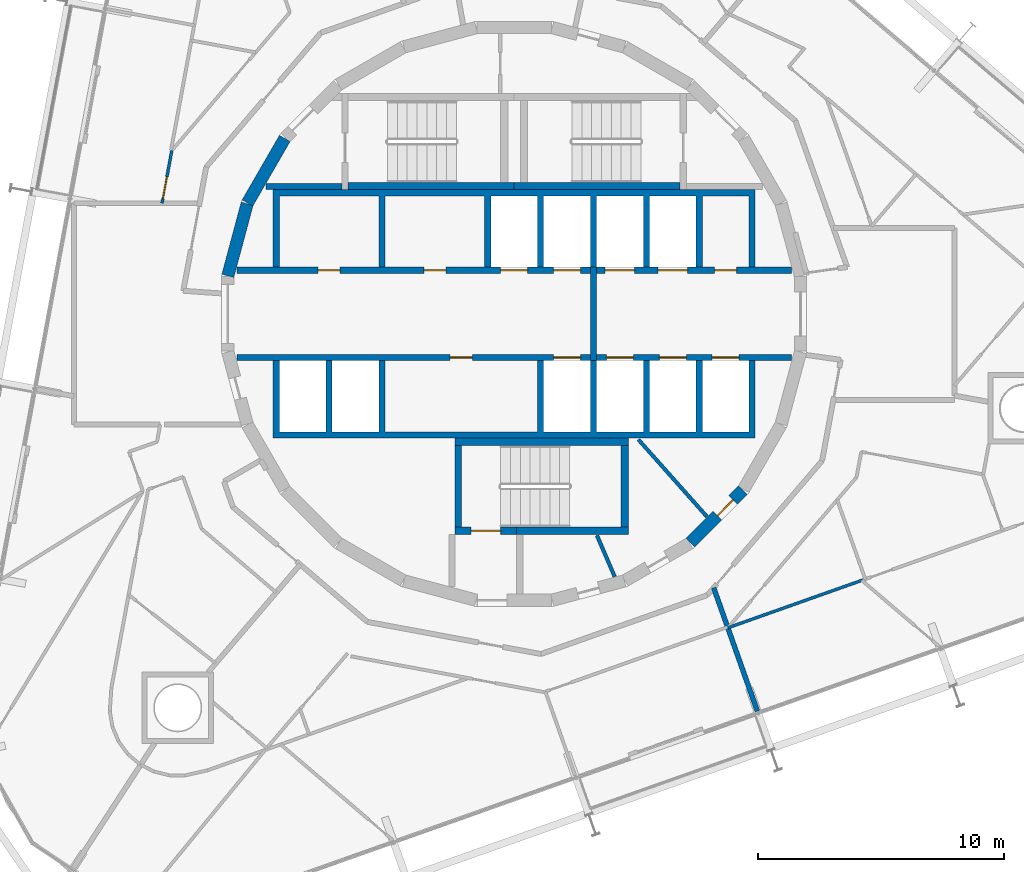
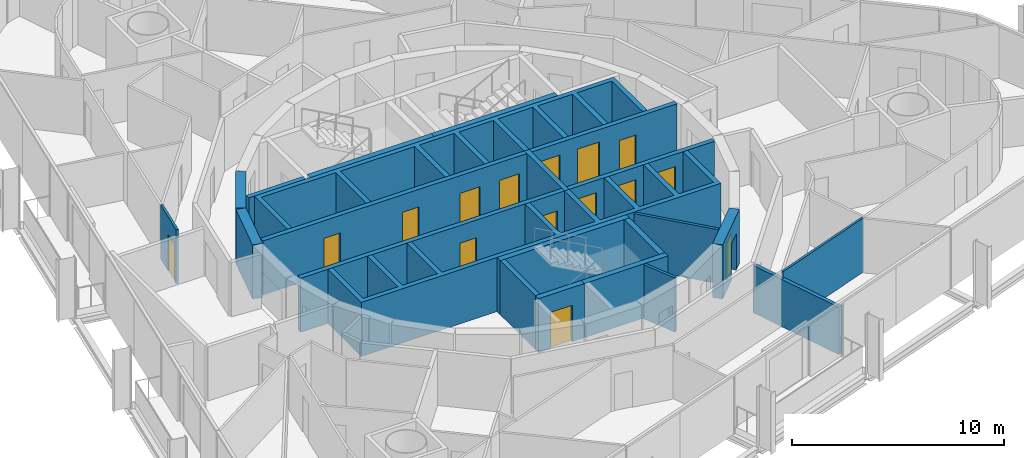
# One storey, part 12 of 17: 23 walls, 15 doors, 15 openings.
"""IFC4 building model written with IfcOpenShell, lengths in metres."""

from ifc_helpers import new_model, si_unit, direction, frame, frame_2d, origin, place, context, subcontext, project, spatial, polyline, rectangle, outline, extrude, material, layer, layer_set, type_object, element, fill, save


model = new_model("IFC4")

# Units and contexts
model_context = context("Model", 3, precision=1e-05, world=origin(), true_north=direction((0.0, 1.0)))
body_context = subcontext(model_context, "Body", "Model", "MODEL_VIEW")
ifc_project = project(units=[si_unit("LENGTHUNIT", "METRE"), si_unit("AREAUNIT", "SQUARE_METRE"), si_unit("VOLUMEUNIT", "CUBIC_METRE"), si_unit("PLANEANGLEUNIT", "RADIAN"), si_unit("MASSUNIT", "GRAM", prefix="KILO")], contexts=[model_context])

# Site, building, storey
site_placement = place(None, origin())
site = spatial("IfcSite", under=ifc_project, at=site_placement, CompositionType="ELEMENT")
building_placement = place(site_placement, origin())
building = spatial("IfcBuilding", under=site, at=building_placement, Name="Spindle Arch Residences", CompositionType="ELEMENT")
storey_placement = place(building_placement, frame((0.0, 0.0, 162.199951171875)))
storey = spatial("IfcBuildingStorey", under=building, at=storey_placement, Name="L40", CompositionType="ELEMENT", Elevation=162.199951171875)

# Wall, opening, door
ifc_material_1 = material(Name="Concrete C50/60", Category="concrete")
ifc_layer_1 = layer(ifc_material_1, 0.5)
ifc_layer_set_1 = layer_set([ifc_layer_1], Name="Core outline wall 500")
wall_type_1 = type_object("IfcWallType", Name="Core outline wall 500", PredefinedType="SHEAR", material=ifc_layer_set_1)
wall_1_placement = place(storey_placement, frame((7.163818359375, -9.30810546875, 0.0), z_axis=(0.0, 0.0, 1.0), x_axis=(0.707106781187, 0.707106781187, 0.0)))
wall_1 = element("IfcWall", 1, at=wall_1_placement, inside=storey, type_object=wall_type_1, Name="Core outline wall 3", PredefinedType="SHEAR", context=body_context, shape_type="SweptSolid", body=[
    extrude(rectangle(XDim=3.032470703125, YDim=0.5, at=frame_2d((1.51611328125, 0.0))), origin(), (0.0, 0.0, 1.0), 3.1201171875),
])
opening_1_placement = place(wall_1_placement, frame((1.56640625, 0.0, 0.0)))
opening_1 = element("IfcOpeningElement", 2, at=opening_1_placement, cuts=wall_1, Name="Opening R4B1-WD06", PredefinedType="OPENING", context=body_context, shape_type="SweptSolid", body=[
    extrude(rectangle(XDim=0.89990234375, YDim=2.10009765625, at=frame_2d((0.449951171875, 1.050048828125))), frame((0.0, 0.260009765625, 0.0), z_axis=(0.0, -1.0, 0.0), x_axis=(1.0, 0.0, 0.0)), (0.0, 0.0, 1.0), 0.52001953125),
])
ifc_material_2 = material(Name="Steel, fire-resisting door", Category="steel")
door_type_1 = type_object("IfcDoorType", Name="Service room door 900x2100", OperationType="SINGLE_SWING_LEFT", PredefinedType="DOOR", material=ifc_material_2)
door_1_placement = place(opening_1_placement, origin())
door_1 = element("IfcDoor", 3, at=door_1_placement, inside=storey, type_object=door_type_1, Name="Service room door R4B1-WD06", OperationType="SINGLE_SWING_RIGHT", OverallHeight=2.10009765625, OverallWidth=0.89990234375, PredefinedType="DOOR", context=body_context, shape_type="SweptSolid", body=[
    extrude(rectangle(XDim=0.89990234375, YDim=2.10009765625, at=frame_2d((0.449951171875, 1.050048828125))), frame((0.0, 0.02490234375, 0.0), z_axis=(0.0, -1.0, 0.0), x_axis=(1.0, 0.0, 0.0)), (0.0, 0.0, 1.0), 0.050048828125),
])
fill(opening_1, door_1)

# Walls
for number, where, z_axis, x_axis, name in (
    (4, (-9.32861328125, 7.13671875, 0.0), (0.0, 0.0, 1.0), (-0.500087131594, -0.865975092491, 0.0), "Core outline wall 16"),
    (5, (-10.858154296875, 4.479248046875, 0.0), (0.0, 0.0, 1.0), (-0.258734743916, -0.965948410781, 0.0), "Core outline wall 17"),
):
    element("IfcWall", number, at=place(storey_placement, frame(where, z_axis=z_axis, x_axis=x_axis)), inside=storey, type_object=wall_type_1, Name=name, PredefinedType="SHEAR", context=body_context, shape_type="SweptSolid", body=[
        extrude(rectangle(XDim=3.03271484375, YDim=0.5, at=frame_2d((1.516357421875, 0.0))), origin(), (0.0, 0.0, 1.0), 3.1201171875),
    ])

# Wall, openings, doors
ifc_material_3 = material(Name="Concrete C40/50", Category="concrete")
ifc_layer_2 = layer(ifc_material_3, 0.25)
ifc_layer_set_2 = layer_set([ifc_layer_2], Name="Fire-lift lobby wall 250")
wall_type_2 = type_object("IfcWallType", Name="Fire-lift lobby wall 250", PredefinedType="SHEAR", material=ifc_layer_set_2)
wall_2_placement = place(storey_placement, frame((3.35009765625, 1.77490234375, 0.0), z_axis=(0.0, 0.0, 1.0), x_axis=(1.0, 0.0, 0.0)))
wall_2 = element("IfcWall", 6, at=wall_2_placement, inside=storey, type_object=wall_type_2, Name="Lift shaft front wall NE", PredefinedType="SHEAR", context=body_context, shape_type="SweptSolid", body=[
    extrude(rectangle(XDim=7.929931640625, YDim=0.25, at=frame_2d((3.96484375, 0.0))), origin(), (0.0, 0.0, 1.0), 3.1201171875),
])
opening_2_placement = place(wall_2_placement, frame((0.35009765625, 0.0, 0.0)))
opening_2 = element("IfcOpeningElement", 7, at=opening_2_placement, cuts=wall_2, Name="Opening R4B1-SLD01", PredefinedType="OPENING", context=body_context, shape_type="SweptSolid", body=[
    extrude(rectangle(XDim=1.199951171875, YDim=2.39990234375, at=frame_2d((0.60009765625, 1.199951171875))), frame((0.0, 0.135009765625, 0.0), z_axis=(0.0, -1.0, 0.0), x_axis=(1.0, 0.0, 0.0)), (0.0, 0.0, 1.0), 0.27001953125),
])
opening_3_placement = place(wall_2_placement, frame((2.5, 0.0, 0.0)))
opening_3 = element("IfcOpeningElement", 8, at=opening_3_placement, cuts=wall_2, Name="Opening R4B1-SLD02", PredefinedType="OPENING", context=body_context, shape_type="SweptSolid", body=[
    extrude(rectangle(XDim=1.199951171875, YDim=2.39990234375, at=frame_2d((0.60009765625, 1.199951171875))), frame((0.0, 0.135009765625, 0.0), z_axis=(0.0, -1.0, 0.0), x_axis=(1.0, 0.0, 0.0)), (0.0, 0.0, 1.0), 0.27001953125),
])
opening_4_placement = place(wall_2_placement, frame((4.800048828125, 0.0, 0.0)))
opening_4 = element("IfcOpeningElement", 9, at=opening_4_placement, cuts=wall_2, Name="Opening R4B1-WD03", PredefinedType="OPENING", context=body_context, shape_type="SweptSolid", body=[
    extrude(rectangle(XDim=0.89990234375, YDim=2.10009765625, at=frame_2d((0.449951171875, 1.050048828125))), frame((0.0, 0.135009765625, 0.0), z_axis=(0.0, -1.0, 0.0), x_axis=(1.0, 0.0, 0.0)), (0.0, 0.0, 1.0), 0.27001953125),
])
ifc_material_4 = material(Name="Steel, fire-resisting landing door", Category="steel")
door_type_2 = type_object("IfcDoorType", Name="Service lift landing door 1200x2400", OperationType="DOUBLE_DOOR_SLIDING", PredefinedType="DOOR", material=ifc_material_4)
door_2_placement = place(opening_2_placement, origin())
door_2 = element("IfcDoor", 10, at=door_2_placement, inside=storey, type_object=door_type_2, Name="Service lift landing door R4B1-SLD01", OperationType="DOUBLE_DOOR_SLIDING", OverallHeight=2.39990234375, OverallWidth=1.199951171875, PredefinedType="DOOR", context=body_context, shape_type="SweptSolid", body=[
    extrude(rectangle(XDim=1.199951171875, YDim=2.39990234375, at=frame_2d((0.60009765625, 1.199951171875))), frame((0.0, 0.02490234375, 0.0), z_axis=(0.0, -1.0, 0.0), x_axis=(1.0, 0.0, 0.0)), (0.0, 0.0, 1.0), 0.050048828125),
])
fill(opening_2, door_2)
door_3_placement = place(opening_3_placement, origin())
door_3 = element("IfcDoor", 11, at=door_3_placement, inside=storey, type_object=door_type_2, Name="Service lift landing door R4B1-SLD02", OperationType="DOUBLE_DOOR_SLIDING", OverallHeight=2.39990234375, OverallWidth=1.199951171875, PredefinedType="DOOR", context=body_context, shape_type="SweptSolid", body=[
    extrude(rectangle(XDim=1.199951171875, YDim=2.39990234375, at=frame_2d((0.60009765625, 1.199951171875))), frame((0.0, 0.02490234375, 0.0), z_axis=(0.0, -1.0, 0.0), x_axis=(1.0, 0.0, 0.0)), (0.0, 0.0, 1.0), 0.050048828125),
])
fill(opening_3, door_3)
door_4_placement = place(opening_4_placement, origin())
door_4 = element("IfcDoor", 12, at=door_4_placement, inside=storey, type_object=door_type_1, Name="Service room door R4B1-WD03", OperationType="SINGLE_SWING_LEFT", OverallHeight=2.10009765625, OverallWidth=0.89990234375, PredefinedType="DOOR", context=body_context, shape_type="SweptSolid", body=[
    extrude(rectangle(XDim=0.89990234375, YDim=2.10009765625, at=frame_2d((0.449951171875, 1.050048828125))), frame((0.0, 0.02490234375, 0.0), z_axis=(0.0, -1.0, 0.0), x_axis=(1.0, 0.0, 0.0)), (0.0, 0.0, 1.0), 0.050048828125),
])
fill(opening_4, door_4)

# Wall
wall_3_placement = place(storey_placement, frame((3.22509765625, -1.89990234375, 0.0), z_axis=(0.0, 0.0, 1.0), x_axis=(0.0, 1.0, 0.0)))
element("IfcWall", 13, at=wall_3_placement, inside=storey, type_object=wall_type_2, Name="Fire-fighting lobby partition", PredefinedType="SHEAR", context=body_context, shape_type="SweptSolid", body=[
    extrude(rectangle(XDim=3.7998046875, YDim=0.25, at=frame_2d((1.89990234375, 0.0))), origin(), (0.0, 0.0, 1.0), 3.1201171875),
])

# Wall, openings, doors
ifc_material_5 = material(Name="Concrete C50/60", Category="concrete")
ifc_layer_3 = layer(ifc_material_5, 0.25)
ifc_layer_set_3 = layer_set([ifc_layer_3], Name="Fire-lift shaft wall 250")
wall_type_3 = type_object("IfcWallType", Name="Fire-lift shaft wall 250", PredefinedType="SHEAR", material=ifc_layer_set_3)
wall_4_placement = place(storey_placement, frame((3.35009765625, -1.77490234375, 0.0), z_axis=(0.0, 0.0, 1.0), x_axis=(1.0, 0.0, 0.0)))
wall_4 = element("IfcWall", 14, at=wall_4_placement, inside=storey, type_object=wall_type_3, Name="Lift shaft front wall SE", PredefinedType="SHEAR", context=body_context, shape_type="SweptSolid", body=[
    extrude(rectangle(XDim=7.929931640625, YDim=0.25, at=frame_2d((3.96484375, 0.0))), origin(), (0.0, 0.0, 1.0), 3.1201171875),
])
opening_5_placement = place(wall_4_placement, frame((0.39990234375, 0.0, 0.0)))
opening_5 = element("IfcOpeningElement", 15, at=opening_5_placement, cuts=wall_4, Name="Opening R4B1-FLD01", PredefinedType="OPENING", context=body_context, shape_type="SweptSolid", body=[
    extrude(rectangle(XDim=1.10009765625, YDim=2.39990234375, at=frame_2d((0.550048828125, 1.199951171875))), frame((0.0, 0.135009765625, 0.0), z_axis=(0.0, -1.0, 0.0), x_axis=(1.0, 0.0, 0.0)), (0.0, 0.0, 1.0), 0.27001953125),
])
opening_6_placement = place(wall_4_placement, frame((2.550048828125, 0.0, 0.0)))
opening_6 = element("IfcOpeningElement", 16, at=opening_6_placement, cuts=wall_4, Name="Opening R4B1-FLD02", PredefinedType="OPENING", context=body_context, shape_type="SweptSolid", body=[
    extrude(rectangle(XDim=1.10009765625, YDim=2.39990234375, at=frame_2d((0.550048828125, 1.199951171875))), frame((0.0, 0.135009765625, 0.0), z_axis=(0.0, -1.0, 0.0), x_axis=(1.0, 0.0, 0.0)), (0.0, 0.0, 1.0), 0.27001953125),
])
opening_7_placement = place(wall_4_placement, frame((4.699951171875, 0.0, 0.0)))
opening_7 = element("IfcOpeningElement", 17, at=opening_7_placement, cuts=wall_4, Name="Opening R4B1-FLD03", PredefinedType="OPENING", context=body_context, shape_type="SweptSolid", body=[
    extrude(rectangle(XDim=1.10009765625, YDim=2.39990234375, at=frame_2d((0.550048828125, 1.199951171875))), frame((0.0, 0.135009765625, 0.0), z_axis=(0.0, -1.0, 0.0), x_axis=(1.0, 0.0, 0.0)), (0.0, 0.0, 1.0), 0.27001953125),
])
ifc_material_6 = material(Name="Steel, fire-resisting landing door", Category="steel")
door_type_3 = type_object("IfcDoorType", Name="Fire-fighting lift landing door 1100x2400", OperationType="DOUBLE_DOOR_SLIDING", PredefinedType="DOOR", material=ifc_material_6)
door_5_placement = place(opening_5_placement, origin())
door_5 = element("IfcDoor", 18, at=door_5_placement, inside=storey, type_object=door_type_3, Name="Fire-fighting lift landing door R4B1-FLD01", OperationType="DOUBLE_DOOR_SLIDING", OverallHeight=2.39990234375, OverallWidth=1.10009765625, PredefinedType="DOOR", context=body_context, shape_type="SweptSolid", body=[
    extrude(rectangle(XDim=1.10009765625, YDim=2.39990234375, at=frame_2d((0.550048828125, 1.199951171875))), frame((0.0, 0.02490234375, 0.0), z_axis=(0.0, -1.0, 0.0), x_axis=(1.0, 0.0, 0.0)), (0.0, 0.0, 1.0), 0.050048828125),
])
fill(opening_5, door_5)
door_6_placement = place(opening_6_placement, origin())
door_6 = element("IfcDoor", 19, at=door_6_placement, inside=storey, type_object=door_type_3, Name="Fire-fighting lift landing door R4B1-FLD02", OperationType="DOUBLE_DOOR_SLIDING", OverallHeight=2.39990234375, OverallWidth=1.10009765625, PredefinedType="DOOR", context=body_context, shape_type="SweptSolid", body=[
    extrude(rectangle(XDim=1.10009765625, YDim=2.39990234375, at=frame_2d((0.550048828125, 1.199951171875))), frame((0.0, 0.02490234375, 0.0), z_axis=(0.0, -1.0, 0.0), x_axis=(1.0, 0.0, 0.0)), (0.0, 0.0, 1.0), 0.050048828125),
])
fill(opening_6, door_6)
door_7_placement = place(opening_7_placement, origin())
door_7 = element("IfcDoor", 20, at=door_7_placement, inside=storey, type_object=door_type_3, Name="Fire-fighting lift landing door R4B1-FLD03", OperationType="DOUBLE_DOOR_SLIDING", OverallHeight=2.39990234375, OverallWidth=1.10009765625, PredefinedType="DOOR", context=body_context, shape_type="SweptSolid", body=[
    extrude(rectangle(XDim=1.10009765625, YDim=2.39990234375, at=frame_2d((0.550048828125, 1.199951171875))), frame((0.0, 0.02490234375, 0.0), z_axis=(0.0, -1.0, 0.0), x_axis=(1.0, 0.0, 0.0)), (0.0, 0.0, 1.0), 0.050048828125),
])
fill(opening_7, door_7)

# Wall, opening, door
ifc_material_7 = material(Name="Plasterboard on steel studs", Category="steel")
ifc_layer_4 = layer(ifc_material_7, 0.1201171875)
ifc_layer_set_4 = layer_set([ifc_layer_4], Name="Flat partition 120")
wall_type_4 = type_object("IfcWallType", Name="Flat partition 120", PredefinedType="PARTITIONING", material=ifc_layer_set_4)
wall_5_placement = place(storey_placement, frame((-13.9228515625, 6.640869140625, 0.0), z_axis=(0.0, 0.0, 1.0), x_axis=(-0.182209715759, -0.983259690765, 0.0)))
wall_5 = element("IfcWall", 21, at=wall_5_placement, inside=storey, type_object=wall_type_4, Name="Flat partition R4B1-W072", PredefinedType="PARTITIONING", context=body_context, shape_type="SweptSolid", body=[
    extrude(rectangle(XDim=2.17724609375, YDim=0.1201171875, at=frame_2d((1.088623046875, 0.0))), origin(), (0.0, 0.0, 1.0), 3.1201171875),
])
opening_8_placement = place(wall_5_placement, frame((1.08349609375, 0.0, 0.0)))
opening_8 = element("IfcOpeningElement", 22, at=opening_8_placement, cuts=wall_5, Name="Opening R4B1-ID13", PredefinedType="OPENING", context=body_context, shape_type="SweptSolid", body=[
    extrude(rectangle(XDim=0.89990234375, YDim=2.10009765625, at=frame_2d((0.449951171875, 1.050048828125))), frame((0.0, 0.070068359375, 0.0), z_axis=(0.0, -1.0, 0.0), x_axis=(1.0, 0.0, 0.0)), (0.0, 0.0, 1.0), 0.14013671875),
])
ifc_material_8 = material(Name="Timber door set", Category="wood")
door_type_4 = type_object("IfcDoorType", Name="Room door 900x2100", OperationType="NOTDEFINED", PredefinedType="DOOR", material=ifc_material_8)
door_8_placement = place(opening_8_placement, origin())
door_8 = element("IfcDoor", 23, at=door_8_placement, inside=storey, type_object=door_type_4, Name="Room door R4B1-ID13", OperationType="SINGLE_SWING_LEFT", OverallHeight=2.10009765625, OverallWidth=0.89990234375, PredefinedType="DOOR", context=body_context, shape_type="SweptSolid", body=[
    extrude(rectangle(XDim=0.89990234375, YDim=2.10009765625, at=frame_2d((0.449951171875, 1.050048828125))), frame((0.0, 0.02490234375, 0.0), z_axis=(0.0, -1.0, 0.0), x_axis=(1.0, 0.0, 0.0)), (0.0, 0.0, 1.0), 0.050048828125),
])
fill(opening_8, door_8)

# Walls
wall_6_placement = place(storey_placement, frame((14.182861328125, -10.819091796875, 0.0), z_axis=(0.0, 0.0, 1.0), x_axis=(-0.942646448855, -0.333792858612, 0.0)))
element("IfcWall", 24, at=wall_6_placement, inside=storey, type_object=wall_type_4, Name="Flat partition R4B1-W116", PredefinedType="PARTITIONING", context=body_context, shape_type="SweptSolid", body=[
    extrude(rectangle(XDim=5.827880859375, YDim=0.1201171875, at=frame_2d((2.9140625, 0.0))), origin(), (0.0, 0.0, 1.0), 3.1201171875),
])
ifc_material_9 = material(Name="Calcium silicate block, plastered")
ifc_layer_5 = layer(ifc_material_9, 0.199951171875)
ifc_layer_set_5 = layer_set([ifc_layer_5], Name="Flat party wall 200 under beam 2730")
wall_type_5 = type_object("IfcWallType", Name="Flat party wall 200 under beam 2730", PredefinedType="STANDARD", material=ifc_layer_set_5)
wall_7_placement = place(storey_placement, frame((9.89111328125, -16.157958984375, 0.0), z_axis=(0.0, 0.0, 1.0), x_axis=(-0.333807281402, 0.942641341594, 0.0)))
element("IfcWall", 25, at=wall_7_placement, inside=storey, type_object=wall_type_5, Name="Flat party wall R4B1-W037", PredefinedType="STANDARD", context=body_context, shape_type="SweptSolid", body=[
    extrude(rectangle(XDim=5.328857421875, YDim=0.199951171875, at=frame_2d((2.66455078125, 0.0))), origin(), (0.0, 0.0, 1.0), 2.72998046875),
])

# Wall, openings, doors
ifc_material_10 = material(Name="Concrete C50/60", Category="concrete")
ifc_layer_6 = layer(ifc_material_10, 0.25)
ifc_layer_set_6 = layer_set([ifc_layer_6], Name="Lift shaft wall 250")
wall_type_6 = type_object("IfcWallType", Name="Lift shaft wall 250", PredefinedType="SHEAR", material=ifc_layer_set_6)
wall_8_placement = place(storey_placement, frame((-11.280029296875, 1.77490234375, 0.0), z_axis=(0.0, 0.0, 1.0), x_axis=(1.0, 0.0, 0.0)))
wall_8 = element("IfcWall", 26, at=wall_8_placement, inside=storey, type_object=wall_type_6, Name="Lift shaft front wall NW", PredefinedType="SHEAR", context=body_context, shape_type="SweptSolid", body=[
    extrude(rectangle(XDim=14.380126953125, YDim=0.25, at=frame_2d((7.18994140625, 0.0))), origin(), (0.0, 0.0, 1.0), 3.1201171875),
])
opening_9_placement = place(wall_8_placement, frame((10.72998046875, 0.0, 0.0)))
opening_9 = element("IfcOpeningElement", 27, at=opening_9_placement, cuts=wall_8, Name="Opening R4B1-LD01", PredefinedType="OPENING", context=body_context, shape_type="SweptSolid", body=[
    extrude(rectangle(XDim=1.10009765625, YDim=2.10009765625, at=frame_2d((0.550048828125, 1.050048828125))), frame((0.0, 0.135009765625, 0.0), z_axis=(0.0, -1.0, 0.0), x_axis=(1.0, 0.0, 0.0)), (0.0, 0.0, 1.0), 0.27001953125),
])
opening_10_placement = place(wall_8_placement, frame((12.8798828125, 0.0, 0.0)))
opening_10 = element("IfcOpeningElement", 28, at=opening_10_placement, cuts=wall_8, Name="Opening R4B1-LD02", PredefinedType="OPENING", context=body_context, shape_type="SweptSolid", body=[
    extrude(rectangle(XDim=1.10009765625, YDim=2.10009765625, at=frame_2d((0.550048828125, 1.050048828125))), frame((0.0, 0.135009765625, 0.0), z_axis=(0.0, -1.0, 0.0), x_axis=(1.0, 0.0, 0.0)), (0.0, 0.0, 1.0), 0.27001953125),
])
opening_11_placement = place(wall_8_placement, frame((3.304931640625, 0.0, 0.0)))
opening_11 = element("IfcOpeningElement", 29, at=opening_11_placement, cuts=wall_8, Name="Opening R4B1-WD01", PredefinedType="OPENING", context=body_context, shape_type="SweptSolid", body=[
    extrude(rectangle(XDim=0.89990234375, YDim=2.10009765625, at=frame_2d((0.449951171875, 1.050048828125))), frame((0.0, 0.135009765625, 0.0), z_axis=(0.0, -1.0, 0.0), x_axis=(1.0, 0.0, 0.0)), (0.0, 0.0, 1.0), 0.27001953125),
])
opening_12_placement = place(wall_8_placement, frame((7.60498046875, 0.0, 0.0)))
opening_12 = element("IfcOpeningElement", 30, at=opening_12_placement, cuts=wall_8, Name="Opening R4B1-WD02", PredefinedType="OPENING", context=body_context, shape_type="SweptSolid", body=[
    extrude(rectangle(XDim=0.89990234375, YDim=2.10009765625, at=frame_2d((0.449951171875, 1.050048828125))), frame((0.0, 0.135009765625, 0.0), z_axis=(0.0, -1.0, 0.0), x_axis=(1.0, 0.0, 0.0)), (0.0, 0.0, 1.0), 0.27001953125),
])
ifc_material_11 = material(Name="Steel, fire-resisting landing door", Category="steel")
door_type_5 = type_object("IfcDoorType", Name="Lift landing door 1100x2100", OperationType="DOUBLE_DOOR_SLIDING", PredefinedType="DOOR", material=ifc_material_11)
door_9_placement = place(opening_9_placement, origin())
door_9 = element("IfcDoor", 31, at=door_9_placement, inside=storey, type_object=door_type_5, Name="Lift landing door R4B1-LD01", OperationType="DOUBLE_DOOR_SLIDING", OverallHeight=2.10009765625, OverallWidth=1.10009765625, PredefinedType="DOOR", context=body_context, shape_type="SweptSolid", body=[
    extrude(rectangle(XDim=1.10009765625, YDim=2.10009765625, at=frame_2d((0.550048828125, 1.050048828125))), frame((0.0, 0.02490234375, 0.0), z_axis=(0.0, -1.0, 0.0), x_axis=(1.0, 0.0, 0.0)), (0.0, 0.0, 1.0), 0.050048828125),
])
fill(opening_9, door_9)
door_10_placement = place(opening_10_placement, origin())
door_10 = element("IfcDoor", 32, at=door_10_placement, inside=storey, type_object=door_type_5, Name="Lift landing door R4B1-LD02", OperationType="DOUBLE_DOOR_SLIDING", OverallHeight=2.10009765625, OverallWidth=1.10009765625, PredefinedType="DOOR", context=body_context, shape_type="SweptSolid", body=[
    extrude(rectangle(XDim=1.10009765625, YDim=2.10009765625, at=frame_2d((0.550048828125, 1.050048828125))), frame((0.0, 0.02490234375, 0.0), z_axis=(0.0, -1.0, 0.0), x_axis=(1.0, 0.0, 0.0)), (0.0, 0.0, 1.0), 0.050048828125),
])
fill(opening_10, door_10)
door_11_placement = place(opening_11_placement, origin())
door_11 = element("IfcDoor", 33, at=door_11_placement, inside=storey, type_object=door_type_1, Name="Service room door R4B1-WD01", OperationType="SINGLE_SWING_LEFT", OverallHeight=2.10009765625, OverallWidth=0.89990234375, PredefinedType="DOOR", context=body_context, shape_type="SweptSolid", body=[
    extrude(rectangle(XDim=0.89990234375, YDim=2.10009765625, at=frame_2d((0.449951171875, 1.050048828125))), frame((0.0, 0.02490234375, 0.0), z_axis=(0.0, -1.0, 0.0), x_axis=(1.0, 0.0, 0.0)), (0.0, 0.0, 1.0), 0.050048828125),
])
fill(opening_11, door_11)
door_12_placement = place(opening_12_placement, origin())
door_12 = element("IfcDoor", 34, at=door_12_placement, inside=storey, type_object=door_type_1, Name="Service room door R4B1-WD02", OperationType="SINGLE_SWING_RIGHT", OverallHeight=2.10009765625, OverallWidth=0.89990234375, PredefinedType="DOOR", context=body_context, shape_type="SweptSolid", body=[
    extrude(rectangle(XDim=0.89990234375, YDim=2.10009765625, at=frame_2d((0.449951171875, 1.050048828125))), frame((0.0, 0.02490234375, 0.0), z_axis=(0.0, -1.0, 0.0), x_axis=(1.0, 0.0, 0.0)), (0.0, 0.0, 1.0), 0.050048828125),
])
fill(opening_12, door_12)

wall_9_placement = place(storey_placement, frame((-11.280029296875, -1.77490234375, 0.0), z_axis=(0.0, 0.0, 1.0), x_axis=(1.0, 0.0, 0.0)))
wall_9 = element("IfcWall", 35, at=wall_9_placement, inside=storey, type_object=wall_type_6, Name="Lift shaft front wall SW", PredefinedType="SHEAR", context=body_context, shape_type="SweptSolid", body=[
    extrude(rectangle(XDim=14.380126953125, YDim=0.25, at=frame_2d((7.18994140625, 0.0))), origin(), (0.0, 0.0, 1.0), 3.1201171875),
])
opening_13_placement = place(wall_9_placement, frame((12.8798828125, 0.0, 0.0)))
opening_13 = element("IfcOpeningElement", 36, at=opening_13_placement, cuts=wall_9, Name="Opening R4B1-LD03", PredefinedType="OPENING", context=body_context, shape_type="SweptSolid", body=[
    extrude(rectangle(XDim=1.10009765625, YDim=2.10009765625, at=frame_2d((0.550048828125, 1.050048828125))), frame((0.0, 0.135009765625, 0.0), z_axis=(0.0, -1.0, 0.0), x_axis=(1.0, 0.0, 0.0)), (0.0, 0.0, 1.0), 0.27001953125),
])
opening_14_placement = place(wall_9_placement, frame((8.679931640625, 0.0, 0.0)))
opening_14 = element("IfcOpeningElement", 37, at=opening_14_placement, cuts=wall_9, Name="Opening R4B1-WD04", PredefinedType="OPENING", context=body_context, shape_type="SweptSolid", body=[
    extrude(rectangle(XDim=0.89990234375, YDim=2.10009765625, at=frame_2d((0.449951171875, 1.050048828125))), frame((0.0, 0.135009765625, 0.0), z_axis=(0.0, -1.0, 0.0), x_axis=(1.0, 0.0, 0.0)), (0.0, 0.0, 1.0), 0.27001953125),
])
door_13_placement = place(opening_13_placement, origin())
door_13 = element("IfcDoor", 38, at=door_13_placement, inside=storey, type_object=door_type_5, Name="Lift landing door R4B1-LD03", OperationType="DOUBLE_DOOR_SLIDING", OverallHeight=2.10009765625, OverallWidth=1.10009765625, PredefinedType="DOOR", context=body_context, shape_type="SweptSolid", body=[
    extrude(rectangle(XDim=1.10009765625, YDim=2.10009765625, at=frame_2d((0.550048828125, 1.050048828125))), frame((0.0, 0.02490234375, 0.0), z_axis=(0.0, -1.0, 0.0), x_axis=(1.0, 0.0, 0.0)), (0.0, 0.0, 1.0), 0.050048828125),
])
fill(opening_13, door_13)
door_14_placement = place(opening_14_placement, origin())
door_14 = element("IfcDoor", 39, at=door_14_placement, inside=storey, type_object=door_type_1, Name="Service room door R4B1-WD04", OperationType="SINGLE_SWING_RIGHT", OverallHeight=2.10009765625, OverallWidth=0.89990234375, PredefinedType="DOOR", context=body_context, shape_type="SweptSolid", body=[
    extrude(rectangle(XDim=0.89990234375, YDim=2.10009765625, at=frame_2d((0.449951171875, 1.050048828125))), frame((0.0, 0.02490234375, 0.0), z_axis=(0.0, -1.0, 0.0), x_axis=(1.0, 0.0, 0.0)), (0.0, 0.0, 1.0), 0.050048828125),
])
fill(opening_14, door_14)

# Walls
ifc_material_12 = material(Name="Concrete C50/60", Category="concrete")
wall_type_7 = type_object("IfcWallType", Name="Lift shaft wall profile", PredefinedType="SHEAR", material=ifc_material_12)
wall_10_placement = place(storey_placement, origin())
element("IfcWall", 40, at=wall_10_placement, inside=storey, type_object=wall_type_7, Name="Lift shaft walls N", PredefinedType="SHEAR", context=body_context, shape_type="SweptSolid", body=[
    extrude(outline(polyline([(-9.550048828125, 4.800048828125), (-5.5, 4.800048828125), (-5.5, 1.89990234375), (-5.25, 1.89990234375), (-5.25, 4.800048828125), (-1.199951171875, 4.800048828125), (-1.199951171875, 1.89990234375), (-0.949951171875, 1.89990234375), (-0.949951171875, 4.800048828125), (0.949951171875, 4.800048828125), (0.949951171875, 1.89990234375), (1.199951171875, 1.89990234375), (1.199951171875, 4.800048828125), (3.10009765625, 4.800048828125), (3.10009765625, 1.89990234375), (3.35009765625, 1.89990234375), (3.35009765625, 4.800048828125), (5.25, 4.800048828125), (5.25, 1.89990234375), (5.5, 1.89990234375), (5.5, 4.800048828125), (7.39990234375, 4.800048828125), (7.39990234375, 1.89990234375), (7.64990234375, 1.89990234375), (7.64990234375, 4.800048828125), (9.550048828125, 4.800048828125), (9.550048828125, 1.89990234375), (9.800048828125, 1.89990234375), (9.800048828125, 4.800048828125), (9.800048828125, 5.050048828125), (-9.800048828125, 5.050048828125), (-9.800048828125, 4.800048828125), (-9.800048828125, 1.89990234375), (-9.550048828125, 1.89990234375), (-9.550048828125, 4.800048828125)])), origin(), (0.0, 0.0, 1.0), 3.1201171875),
])
wall_11_placement = place(storey_placement, origin())
element("IfcWall", 41, at=wall_11_placement, inside=storey, type_object=wall_type_7, Name="Lift shaft walls S", PredefinedType="SHEAR", context=body_context, shape_type="SweptSolid", body=[
    extrude(outline(polyline([(9.800048828125, -5.050048828125), (9.800048828125, -4.800048828125), (9.800048828125, -1.89990234375), (9.550048828125, -1.89990234375), (9.550048828125, -4.800048828125), (7.64990234375, -4.800048828125), (7.64990234375, -1.89990234375), (7.39990234375, -1.89990234375), (7.39990234375, -4.800048828125), (5.5, -4.800048828125), (5.5, -1.89990234375), (5.25, -1.89990234375), (5.25, -4.800048828125), (3.35009765625, -4.800048828125), (3.35009765625, -1.89990234375), (3.10009765625, -1.89990234375), (3.10009765625, -4.800048828125), (1.199951171875, -4.800048828125), (1.199951171875, -1.89990234375), (0.949951171875, -1.89990234375), (0.949951171875, -4.800048828125), (-5.25, -4.800048828125), (-5.25, -1.89990234375), (-5.5, -1.89990234375), (-5.5, -4.800048828125), (-7.39990234375, -4.800048828125), (-7.39990234375, -1.89990234375), (-7.64990234375, -1.89990234375), (-7.64990234375, -4.800048828125), (-9.550048828125, -4.800048828125), (-9.550048828125, -1.89990234375), (-9.800048828125, -1.89990234375), (-9.800048828125, -4.800048828125), (-9.800048828125, -5.050048828125), (9.800048828125, -5.050048828125)])), origin(), (0.0, 0.0, 1.0), 3.1201171875),
])
ifc_material_13 = material(Name="Concrete C25/30", Category="concrete")
ifc_layer_7 = layer(ifc_material_13, 0.14990234375)
ifc_layer_set_7 = layer_set([ifc_layer_7], Name="Service room partition 150")
wall_type_8 = type_object("IfcWallType", Name="Service room partition 150", PredefinedType="PARTITIONING", material=ifc_layer_set_7)
wall_12_placement = place(storey_placement, frame((7.84228515625, -8.24755859375, 0.0), z_axis=(0.0, 0.0, 1.0), x_axis=(-0.66446128181, 0.747322691329, 0.0)))
element("IfcWall", 42, at=wall_12_placement, inside=storey, type_object=wall_type_8, Name="Core service room partition", PredefinedType="PARTITIONING", context=body_context, shape_type="SweptSolid", body=[
    extrude(rectangle(XDim=4.198486328125, YDim=0.14990234375, at=frame_2d((2.09912109375, 0.0))), origin(), (0.0, 0.0, 1.0), 3.1201171875),
])
wall_13_placement = place(storey_placement, frame((3.366943359375, -9.0068359375, 0.0), z_axis=(0.0, 0.0, 1.0), x_axis=(0.394387482265, -0.918944238696, 0.0)))
element("IfcWall", 43, at=wall_13_placement, inside=storey, type_object=wall_type_8, Name="Core service room partition", PredefinedType="PARTITIONING", context=body_context, shape_type="SweptSolid", body=[
    extrude(rectangle(XDim=1.824951171875, YDim=0.14990234375, at=frame_2d((0.91259765625, 0.0))), origin(), (0.0, 0.0, 1.0), 3.1201171875),
])
ifc_material_14 = material(Name="Concrete C40/50", Category="concrete")
ifc_layer_8 = layer(ifc_material_14, 0.25)
ifc_layer_set_8 = layer_set([ifc_layer_8], Name="Stair airlock wall 250")
wall_type_9 = type_object("IfcWallType", Name="Stair airlock wall 250", PredefinedType="SHEAR", material=ifc_layer_set_8)
wall_14_placement = place(storey_placement, frame((-7.0, 5.175048828125, 0.0), z_axis=(0.0, 0.0, 1.0), x_axis=(-1.0, 0.0, 0.0)))
element("IfcWall", 44, at=wall_14_placement, inside=storey, type_object=wall_type_9, Name="Stair ST-2 airlock wall S", PredefinedType="SHEAR", context=body_context, shape_type="SweptSolid", body=[
    extrude(rectangle(XDim=3.10009765625, YDim=0.25, at=frame_2d((1.550048828125, 0.0))), origin(), (0.0, 0.0, 1.0), 3.1201171875),
])
ifc_material_15 = material(Name="Concrete C50/60", Category="concrete")
ifc_layer_9 = layer(ifc_material_15, 0.25)
ifc_layer_set_9 = layer_set([ifc_layer_9], Name="Stair enclosure wall 250")
wall_type_10 = type_object("IfcWallType", Name="Stair enclosure wall 250", PredefinedType="SHEAR", material=ifc_layer_set_9)
wall_15_placement = place(storey_placement, frame((-2.27490234375, -8.669921875, 0.0), z_axis=(0.0, 0.0, 1.0), x_axis=(0.0, 1.0, 0.0)))
element("IfcWall", 45, at=wall_15_placement, inside=storey, type_object=wall_type_10, Name="Stair ST-3 enclosure wall W", PredefinedType="SHEAR", context=body_context, shape_type="SweptSolid", body=[
    extrude(rectangle(XDim=3.31982421875, YDim=0.25, at=frame_2d((1.659912109375, 0.0))), origin(), (0.0, 0.0, 1.0), 3.1201171875),
])
ifc_material_16 = material(Name="Concrete C50/60", Category="concrete")
ifc_layer_10 = layer(ifc_material_16, 0.300048828125)
ifc_layer_set_10 = layer_set([ifc_layer_10], Name="Stair enclosure wall 300")
wall_type_11 = type_object("IfcWallType", Name="Stair enclosure wall 300", PredefinedType="SHEAR", material=ifc_layer_set_10)
for number, where, z_axis, x_axis, name in (
    (46, (0.0, 5.199951171875, 0.0), (0.0, 0.0, 1.0), (1.0, 0.0, 0.0), "Stair ST-1 enclosure wall S"),
    (47, (-6.75, 5.199951171875, 0.0), (0.0, 0.0, 1.0), (1.0, 0.0, 0.0), "Stair ST-2 enclosure wall S"),
):
    element("IfcWall", number, at=place(storey_placement, frame(where, z_axis=z_axis, x_axis=x_axis)), inside=storey, type_object=wall_type_11, Name=name, PredefinedType="SHEAR", context=body_context, shape_type="SweptSolid", body=[
        extrude(rectangle(XDim=6.75, YDim=0.300048828125, at=frame_2d((3.375, 0.0))), origin(), (0.0, 0.0, 1.0), 3.1201171875),
    ])
wall_16_placement = place(storey_placement, frame((-2.39990234375, -5.199951171875, 0.0), z_axis=(0.0, 0.0, 1.0), x_axis=(1.0, 0.0, 0.0)))
element("IfcWall", 48, at=wall_16_placement, inside=storey, type_object=wall_type_11, Name="Stair ST-3 enclosure wall N", PredefinedType="SHEAR", context=body_context, shape_type="SweptSolid", body=[
    extrude(rectangle(XDim=7.0498046875, YDim=0.300048828125, at=frame_2d((3.52490234375, 0.0))), origin(), (0.0, 0.0, 1.0), 3.1201171875),
])
wall_17_placement = place(storey_placement, frame((4.5, -8.669921875, 0.0), z_axis=(0.0, 0.0, 1.0), x_axis=(0.0, 1.0, 0.0)))
element("IfcWall", 49, at=wall_17_placement, inside=storey, type_object=wall_type_11, Name="Stair ST-3 enclosure wall E", PredefinedType="SHEAR", context=body_context, shape_type="SweptSolid", body=[
    extrude(rectangle(XDim=3.31982421875, YDim=0.300048828125, at=frame_2d((1.659912109375, 0.0))), origin(), (0.0, 0.0, 1.0), 3.1201171875),
])
wall_18_placement = place(storey_placement, frame((0.10009765625, -8.820068359375, 0.0), z_axis=(0.0, 0.0, 1.0), x_axis=(1.0, 0.0, 0.0)))
element("IfcWall", 50, at=wall_18_placement, inside=storey, type_object=wall_type_11, Name="Stair ST-3 enclosure wall S", PredefinedType="SHEAR", context=body_context, shape_type="SweptSolid", body=[
    extrude(rectangle(XDim=4.5498046875, YDim=0.300048828125, at=frame_2d((2.27490234375, 0.0))), origin(), (0.0, 0.0, 1.0), 3.1201171875),
])

# Wall, opening, door
wall_19_placement = place(storey_placement, frame((-2.39990234375, -8.820068359375, 0.0), z_axis=(0.0, 0.0, 1.0), x_axis=(1.0, 0.0, 0.0)))
wall_19 = element("IfcWall", 51, at=wall_19_placement, inside=storey, type_object=wall_type_11, Name="Stair ST-3 door wall", PredefinedType="SHEAR", context=body_context, shape_type="SweptSolid", body=[
    extrude(rectangle(XDim=2.5, YDim=0.300048828125, at=frame_2d((1.25, 0.0))), origin(), (0.0, 0.0, 1.0), 3.1201171875),
])
opening_15_placement = place(wall_19_placement, frame((0.64990234375, 0.0, 0.0)))
opening_15 = element("IfcOpeningElement", 52, at=opening_15_placement, cuts=wall_19, Name="Opening R4B1-SD03", PredefinedType="OPENING", context=body_context, shape_type="SweptSolid", body=[
    extrude(rectangle(XDim=1.199951171875, YDim=2.10009765625, at=frame_2d((0.60009765625, 1.050048828125))), frame((0.0, 0.16015625, 0.0), z_axis=(0.0, -1.0, 0.0), x_axis=(1.0, 0.0, 0.0)), (0.0, 0.0, 1.0), 0.320068359375),
])
ifc_material_17 = material(Name="Steel, fire-resisting door", Category="steel")
door_type_6 = type_object("IfcDoorType", Name="Stair door 1200x2100", OperationType="SINGLE_SWING_RIGHT", PredefinedType="DOOR", material=ifc_material_17)
door_15_placement = place(opening_15_placement, origin())
door_15 = element("IfcDoor", 53, at=door_15_placement, inside=storey, type_object=door_type_6, Name="Stair door R4B1-SD03", OperationType="SINGLE_SWING_LEFT", OverallHeight=2.10009765625, OverallWidth=1.199951171875, PredefinedType="DOOR", context=body_context, shape_type="SweptSolid", body=[
    extrude(rectangle(XDim=1.199951171875, YDim=2.10009765625, at=frame_2d((0.60009765625, 1.050048828125))), frame((0.0, 0.02490234375, 0.0), z_axis=(0.0, -1.0, 0.0), x_axis=(1.0, 0.0, 0.0)), (0.0, 0.0, 1.0), 0.050048828125),
])
fill(opening_15, door_15)

save(model, "model.ifc")
